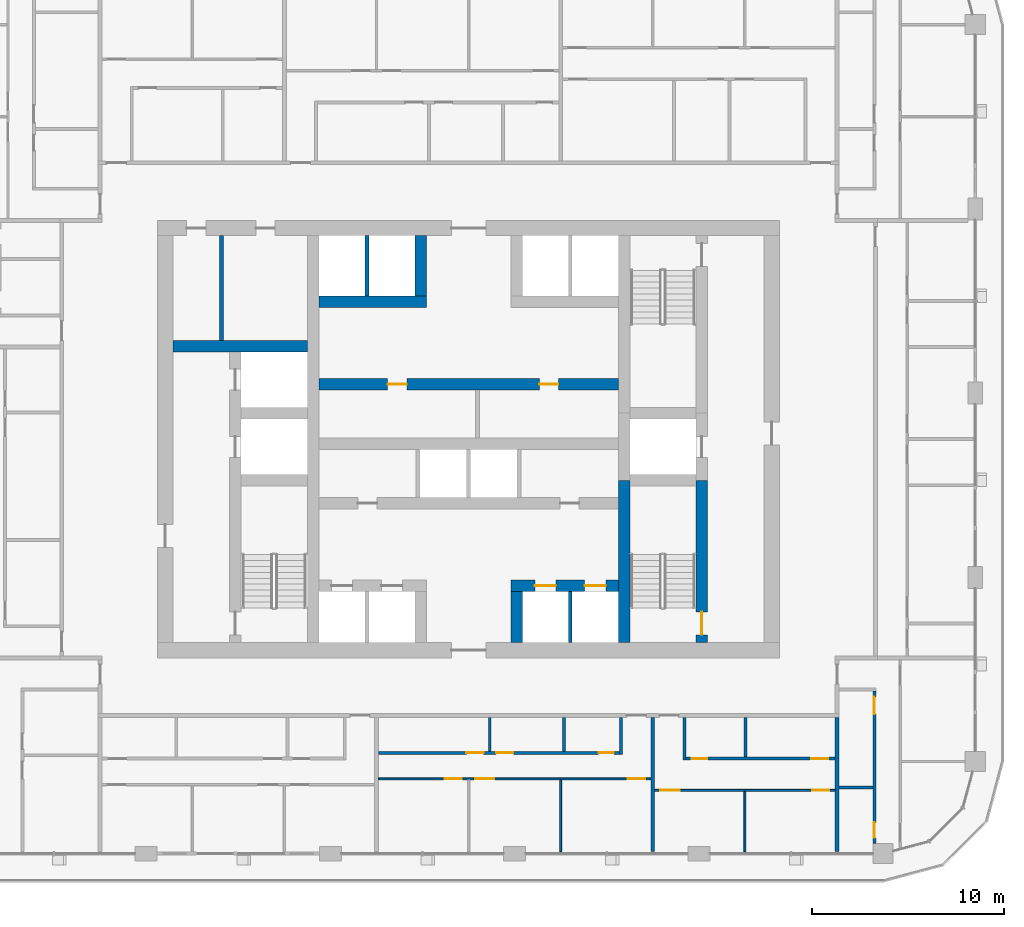
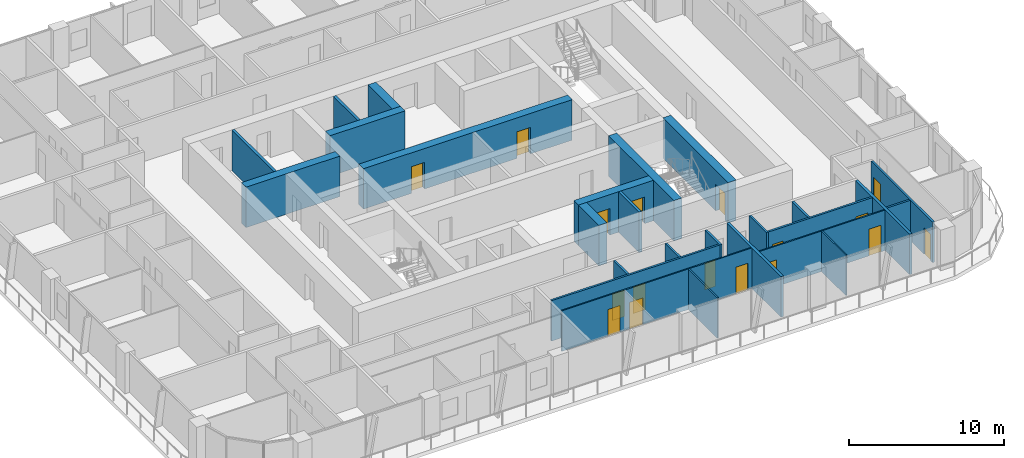
# One storey, part 11 of 22: 26 walls, 17 doors, 17 openings.
"""IFC4 building model written with IfcOpenShell, lengths in metres."""

from ifc_helpers import new_model, si_unit, direction, frame, frame_2d, origin, place, context, subcontext, project, spatial, rectangle, extrude, material, layer, layer_set, type_object, element, fill, save


model = new_model("IFC4")

# Units and contexts
model_context = context("Model", 3, precision=1e-05, world=origin(), true_north=direction((0.0, 1.0)))
body_context = subcontext(model_context, "Body", "Model", "MODEL_VIEW")
ifc_project = project(units=[si_unit("LENGTHUNIT", "METRE"), si_unit("AREAUNIT", "SQUARE_METRE"), si_unit("VOLUMEUNIT", "CUBIC_METRE"), si_unit("PLANEANGLEUNIT", "RADIAN"), si_unit("MASSUNIT", "GRAM", prefix="KILO")], contexts=[model_context])

# Site, building, storey
site_placement = place(None, origin())
site = spatial("IfcSite", under=ifc_project, at=site_placement, CompositionType="ELEMENT")
building_placement = place(site_placement, origin())
building = spatial("IfcBuilding", under=site, at=building_placement, Name="Madar Terraces", CompositionType="ELEMENT")
storey_placement = place(building_placement, frame((0.0, 0.0, 129.60009765625)))
storey = spatial("IfcBuildingStorey", under=building, at=storey_placement, Name="L33", CompositionType="ELEMENT", Elevation=129.60009765625)

# Wall
ifc_material_1 = material(Name="Concrete C70/85", Category="concrete")
ifc_layer_1 = layer(ifc_material_1, 0.60009765625)
ifc_layer_set_1 = layer_set([ifc_layer_1], Name="Concrete C70/85 (CIW3 RC wall 600)")
wall_type_1 = type_object("IfcWallType", Name="CIW3 RC wall 600", PredefinedType="SHEAR", material=ifc_layer_set_1)
wall_1_placement = place(storey_placement, frame((39.300048828125, 15.800048828125, 0.0), z_axis=(0.0, 0.0, 1.0), x_axis=(0.0, 1.0, 0.0)))
element("IfcWall", 1, at=wall_1_placement, inside=storey, type_object=wall_type_1, Name="CORE SHAFT WALL", PredefinedType="SHEAR", context=body_context, shape_type="SweptSolid", body=[
    extrude(rectangle(XDim=8.449951171875, YDim=0.60009765625, at=frame_2d((4.22509765625, 0.0))), origin(), (0.0, 0.0, 1.0), 3.199951171875),
])

# Wall, opening, door
wall_2_placement = place(storey_placement, frame((43.35009765625, 15.800048828125, 0.0), z_axis=(0.0, 0.0, 1.0), x_axis=(0.0, 1.0, 0.0)))
wall_2 = element("IfcWall", 2, at=wall_2_placement, inside=storey, type_object=wall_type_1, Name="CORE SHAFT WALL", PredefinedType="SHEAR", context=body_context, shape_type="SweptSolid", body=[
    extrude(rectangle(XDim=8.449951171875, YDim=0.60009765625, at=frame_2d((4.22509765625, 0.0))), origin(), (0.0, 0.0, 1.0), 3.199951171875),
])
opening_1_placement = place(wall_2_placement, frame((0.39990234375, 0.0, 0.0)))
opening_1 = element("IfcOpeningElement", 3, at=opening_1_placement, cuts=wall_2, Name="Opening SD1", PredefinedType="OPENING", context=body_context, shape_type="SweptSolid", body=[
    extrude(rectangle(XDim=1.199951171875, YDim=2.10009765625, at=frame_2d((0.60009765625, 1.050048828125))), frame((0.0, 0.31005859375, 0.0), z_axis=(0.0, -1.0, 0.0), x_axis=(1.0, 0.0, 0.0)), (0.0, 0.0, 1.0), 0.6201171875),
])
ifc_material_2 = material(Name="Steel door leaf", Category="steel")
door_type_1 = type_object("IfcDoorType", Name="Stair door 1200 x 2100", OperationType="NOTDEFINED", PredefinedType="DOOR", material=ifc_material_2)
door_1_placement = place(opening_1_placement, origin())
door_1 = element("IfcDoor", 4, at=door_1_placement, inside=storey, type_object=door_type_1, Name="STAIR DOOR", OperationType="SINGLE_SWING_RIGHT", OverallHeight=2.10009765625, OverallWidth=1.199951171875, PredefinedType="DOOR", context=body_context, shape_type="SweptSolid", body=[
    extrude(rectangle(XDim=1.199951171875, YDim=2.10009765625, at=frame_2d((0.60009765625, 1.050048828125))), frame((0.0, 0.02490234375, 0.0), z_axis=(0.0, -1.0, 0.0), x_axis=(1.0, 0.0, 0.0)), (0.0, 0.0, 1.0), 0.050048828125),
])
fill(opening_1, door_1)

# Wall
wall_3_placement = place(storey_placement, frame((15.800048828125, 31.25, 0.0), z_axis=(0.0, 0.0, 1.0), x_axis=(1.0, 0.0, 0.0)))
element("IfcWall", 5, at=wall_3_placement, inside=storey, type_object=wall_type_1, Name="CORE SHAFT WALL", PredefinedType="SHEAR", context=body_context, shape_type="SweptSolid", body=[
    extrude(rectangle(XDim=7.0, YDim=0.60009765625, at=frame_2d((3.5, 0.0))), origin(), (0.0, 0.0, 1.0), 3.199951171875),
])

# Wall, openings, doors
wall_4_placement = place(storey_placement, frame((33.39990234375, 18.75, 0.0), z_axis=(0.0, 0.0, 1.0), x_axis=(1.0, 0.0, 0.0)))
wall_4 = element("IfcWall", 6, at=wall_4_placement, inside=storey, type_object=wall_type_1, Name="CORE SHAFT WALL", PredefinedType="SHEAR", context=body_context, shape_type="SweptSolid", body=[
    extrude(rectangle(XDim=5.60009765625, YDim=0.60009765625, at=frame_2d((2.800048828125, 0.0))), origin(), (0.0, 0.0, 1.0), 3.199951171875),
])
opening_2_placement = place(wall_4_placement, frame((1.25, 0.0, 0.0)))
opening_2 = element("IfcOpeningElement", 7, at=opening_2_placement, cuts=wall_4, Name="Opening LD", PredefinedType="OPENING", context=body_context, shape_type="SweptSolid", body=[
    extrude(rectangle(XDim=1.10009765625, YDim=2.10009765625, at=frame_2d((0.550048828125, 1.050048828125))), frame((0.0, 0.31005859375, 0.0), z_axis=(0.0, -1.0, 0.0), x_axis=(1.0, 0.0, 0.0)), (0.0, 0.0, 1.0), 0.6201171875),
])
opening_3_placement = place(wall_4_placement, frame((3.85009765625, 0.0, 0.0)))
opening_3 = element("IfcOpeningElement", 8, at=opening_3_placement, cuts=wall_4, Name="Opening LD", PredefinedType="OPENING", context=body_context, shape_type="SweptSolid", body=[
    extrude(rectangle(XDim=1.10009765625, YDim=2.10009765625, at=frame_2d((0.550048828125, 1.050048828125))), frame((0.0, 0.31005859375, 0.0), z_axis=(0.0, -1.0, 0.0), x_axis=(1.0, 0.0, 0.0)), (0.0, 0.0, 1.0), 0.6201171875),
])
ifc_material_3 = material(Name="Stainless steel panel", Category="steel")
door_type_2 = type_object("IfcDoorType", Name="Lift landing door 1100 x 2100", OperationType="DOUBLE_DOOR_SLIDING", PredefinedType="DOOR", material=ifc_material_3)
door_2_placement = place(opening_2_placement, origin())
door_2 = element("IfcDoor", 9, at=door_2_placement, inside=storey, type_object=door_type_2, Name="LIFT LANDING DOOR", OperationType="DOUBLE_DOOR_SLIDING", OverallHeight=2.10009765625, OverallWidth=1.10009765625, PredefinedType="DOOR", context=body_context, shape_type="SweptSolid", body=[
    extrude(rectangle(XDim=1.10009765625, YDim=2.10009765625, at=frame_2d((0.550048828125, 1.050048828125))), frame((0.0, 0.02490234375, 0.0), z_axis=(0.0, -1.0, 0.0), x_axis=(1.0, 0.0, 0.0)), (0.0, 0.0, 1.0), 0.050048828125),
])
fill(opening_2, door_2)
door_3_placement = place(opening_3_placement, origin())
door_3 = element("IfcDoor", 10, at=door_3_placement, inside=storey, type_object=door_type_2, Name="LIFT LANDING DOOR", OperationType="DOUBLE_DOOR_SLIDING", OverallHeight=2.10009765625, OverallWidth=1.10009765625, PredefinedType="DOOR", context=body_context, shape_type="SweptSolid", body=[
    extrude(rectangle(XDim=1.10009765625, YDim=2.10009765625, at=frame_2d((0.550048828125, 1.050048828125))), frame((0.0, 0.02490234375, 0.0), z_axis=(0.0, -1.0, 0.0), x_axis=(1.0, 0.0, 0.0)), (0.0, 0.0, 1.0), 0.050048828125),
])
fill(opening_3, door_3)

wall_5_placement = place(storey_placement, frame((23.39990234375, 29.25, 0.0), z_axis=(0.0, 0.0, 1.0), x_axis=(1.0, 0.0, 0.0)))
wall_5 = element("IfcWall", 11, at=wall_5_placement, inside=storey, type_object=wall_type_1, Name="CORE SHAFT WALL", PredefinedType="SHEAR", context=body_context, shape_type="SweptSolid", body=[
    extrude(rectangle(XDim=15.60009765625, YDim=0.60009765625, at=frame_2d((7.800048828125, 0.0))), origin(), (0.0, 0.0, 1.0), 3.199951171875),
])
opening_4_placement = place(wall_5_placement, frame((3.583984375, 0.0, 0.0)))
opening_4 = element("IfcOpeningElement", 12, at=opening_4_placement, cuts=wall_5, Name="Opening KD2", PredefinedType="OPENING", context=body_context, shape_type="SweptSolid", body=[
    extrude(rectangle(XDim=1.0, YDim=2.10009765625, at=frame_2d((0.5, 1.050048828125))), frame((0.0, 0.31005859375, 0.0), z_axis=(0.0, -1.0, 0.0), x_axis=(1.0, 0.0, 0.0)), (0.0, 0.0, 1.0), 0.6201171875),
])
opening_5_placement = place(wall_5_placement, frame((11.48388671875, 0.0, 0.0)))
opening_5 = element("IfcOpeningElement", 13, at=opening_5_placement, cuts=wall_5, Name="Opening KD2", PredefinedType="OPENING", context=body_context, shape_type="SweptSolid", body=[
    extrude(rectangle(XDim=1.0, YDim=2.10009765625, at=frame_2d((0.5, 1.050048828125))), frame((0.0, 0.31005859375, 0.0), z_axis=(0.0, -1.0, 0.0), x_axis=(1.0, 0.0, 0.0)), (0.0, 0.0, 1.0), 0.6201171875),
])
ifc_material_4 = material(Name="Steel door leaf", Category="steel")
door_type_3 = type_object("IfcDoorType", Name="Service room door 1000 x 2100", OperationType="NOTDEFINED", PredefinedType="DOOR", material=ifc_material_4)
door_4_placement = place(opening_4_placement, origin())
door_4 = element("IfcDoor", 14, at=door_4_placement, inside=storey, type_object=door_type_3, Name="SERVICE ROOM DOOR", OperationType="SINGLE_SWING_RIGHT", OverallHeight=2.10009765625, OverallWidth=1.0, PredefinedType="DOOR", context=body_context, shape_type="SweptSolid", body=[
    extrude(rectangle(XDim=1.0, YDim=2.10009765625, at=frame_2d((0.5, 1.050048828125))), frame((0.0, 0.02490234375, 0.0), z_axis=(0.0, -1.0, 0.0), x_axis=(1.0, 0.0, 0.0)), (0.0, 0.0, 1.0), 0.050048828125),
])
fill(opening_4, door_4)
door_5_placement = place(opening_5_placement, origin())
door_5 = element("IfcDoor", 15, at=door_5_placement, inside=storey, type_object=door_type_3, Name="SERVICE ROOM DOOR", OperationType="SINGLE_SWING_LEFT", OverallHeight=2.10009765625, OverallWidth=1.0, PredefinedType="DOOR", context=body_context, shape_type="SweptSolid", body=[
    extrude(rectangle(XDim=1.0, YDim=2.10009765625, at=frame_2d((0.5, 1.050048828125))), frame((0.0, 0.02490234375, 0.0), z_axis=(0.0, -1.0, 0.0), x_axis=(1.0, 0.0, 0.0)), (0.0, 0.0, 1.0), 0.050048828125),
])
fill(opening_5, door_5)

# Walls
wall_6_placement = place(storey_placement, frame((23.39990234375, 33.550048828125, 0.0), z_axis=(0.0, 0.0, 1.0), x_axis=(1.0, 0.0, 0.0)))
element("IfcWall", 16, at=wall_6_placement, inside=storey, type_object=wall_type_1, Name="CORE SHAFT WALL", PredefinedType="SHEAR", context=body_context, shape_type="SweptSolid", body=[
    extrude(rectangle(XDim=5.60009765625, YDim=0.60009765625, at=frame_2d((2.800048828125, 0.0))), origin(), (0.0, 0.0, 1.0), 3.199951171875),
])
wall_7_placement = place(storey_placement, frame((33.699951171875, 15.800048828125, 0.0), z_axis=(0.0, 0.0, 1.0), x_axis=(0.0, 1.0, 0.0)))
element("IfcWall", 17, at=wall_7_placement, inside=storey, type_object=wall_type_1, Name="CORE SHAFT WALL", PredefinedType="SHEAR", context=body_context, shape_type="SweptSolid", body=[
    extrude(rectangle(XDim=2.64990234375, YDim=0.60009765625, at=frame_2d((1.324951171875, 0.0))), origin(), (0.0, 0.0, 1.0), 3.199951171875),
])
wall_8_placement = place(storey_placement, frame((28.699951171875, 33.85009765625, 0.0), z_axis=(0.0, 0.0, 1.0), x_axis=(0.0, 1.0, 0.0)))
element("IfcWall", 18, at=wall_8_placement, inside=storey, type_object=wall_type_1, Name="CORE SHAFT WALL", PredefinedType="SHEAR", context=body_context, shape_type="SweptSolid", body=[
    extrude(rectangle(XDim=3.14990234375, YDim=0.60009765625, at=frame_2d((1.574951171875, 0.0))), origin(), (0.0, 0.0, 1.0), 3.199951171875),
])
ifc_material_5 = material(Name="Masonry blockwork", Category="masonry")
ifc_layer_2 = layer(ifc_material_5, 0.199951171875)
ifc_layer_set_2 = layer_set([ifc_layer_2], Name="Core partition 200 blockwork")
wall_type_2 = type_object("IfcWallType", Name="Core partition 200 blockwork", PredefinedType="PARTITIONING", material=ifc_layer_set_2)
wall_9_placement = place(storey_placement, frame((18.320068359375, 31.550048828125, 0.0), z_axis=(0.0, 0.0, 1.0), x_axis=(0.0, 1.0, 0.0)))
element("IfcWall", 19, at=wall_9_placement, inside=storey, type_object=wall_type_2, Name="SERVICE ROOM PARTITION", PredefinedType="PARTITIONING", context=body_context, shape_type="SweptSolid", body=[
    extrude(rectangle(XDim=5.449951171875, YDim=0.199951171875, at=frame_2d((2.72509765625, 0.0))), origin(), (0.0, 0.0, 1.0), 3.199951171875),
])
ifc_material_6 = material(Name="Concrete C40/50", Category="concrete")
ifc_layer_3 = layer(ifc_material_6, 0.199951171875)
ifc_layer_set_3 = layer_set([ifc_layer_3], Name="Core shaft dividing wall 200 C40/50")
wall_type_3 = type_object("IfcWallType", Name="Core shaft dividing wall 200 C40/50", PredefinedType="SOLIDWALL", material=ifc_layer_set_3)
wall_10_placement = place(storey_placement, frame((25.89990234375, 33.85009765625, 0.0), z_axis=(0.0, 0.0, 1.0), x_axis=(0.0, 1.0, 0.0)))
element("IfcWall", 20, at=wall_10_placement, inside=storey, type_object=wall_type_3, Name="SHAFT DIVIDING WALL", PredefinedType="SOLIDWALL", context=body_context, shape_type="SweptSolid", body=[
    extrude(rectangle(XDim=3.14990234375, YDim=0.199951171875, at=frame_2d((1.574951171875, 0.0))), origin(), (0.0, 0.0, 1.0), 3.199951171875),
])
wall_11_placement = place(storey_placement, frame((36.5, 15.800048828125, 0.0), z_axis=(0.0, 0.0, 1.0), x_axis=(0.0, 1.0, 0.0)))
element("IfcWall", 21, at=wall_11_placement, inside=storey, type_object=wall_type_3, Name="SHAFT DIVIDING WALL", PredefinedType="SOLIDWALL", context=body_context, shape_type="SweptSolid", body=[
    extrude(rectangle(XDim=2.64990234375, YDim=0.199951171875, at=frame_2d((1.324951171875, 0.0))), origin(), (0.0, 0.0, 1.0), 3.199951171875),
])
ifc_material_7 = material(Name="Gypsum board on steel studs", Category="steel")
ifc_layer_4 = layer(ifc_material_7, 0.10009765625)
ifc_layer_set_4 = layer_set([ifc_layer_4], Name="Flat partition 100")
wall_type_4 = type_object("IfcWallType", Name="Flat partition 100", PredefinedType="PARTITIONING", material=ifc_layer_set_4)
wall_12_placement = place(storey_placement, frame((36.0, 8.64990234375, 0.0), z_axis=(0.0, 0.0, 1.0), x_axis=(0.0, -1.0, 0.0)))
element("IfcWall", 22, at=wall_12_placement, inside=storey, type_object=wall_type_4, Name="Flat partition 100", PredefinedType="PARTITIONING", context=body_context, shape_type="SweptSolid", body=[
    extrude(rectangle(XDim=3.75, YDim=0.10009765625, at=frame_2d((1.875, 0.0))), origin(), (0.0, 0.0, 1.0), 3.199951171875),
])

# Wall, openings, doors
wall_13_placement = place(storey_placement, frame((40.699951171875, 8.699951171875, 0.0), z_axis=(0.0, 0.0, 1.0), x_axis=(-1.0, 0.0, 0.0)))
wall_13 = element("IfcWall", 23, at=wall_13_placement, inside=storey, type_object=wall_type_4, Name="Flat partition 100", PredefinedType="PARTITIONING", context=body_context, shape_type="SweptSolid", body=[
    extrude(rectangle(XDim=14.199951171875, YDim=0.10009765625, at=frame_2d((7.10009765625, 0.0))), origin(), (0.0, 0.0, 1.0), 3.199951171875),
])
opening_6_placement = place(wall_13_placement, frame((0.300048828125, 0.0, 0.0)))
opening_6 = element("IfcOpeningElement", 24, at=opening_6_placement, cuts=wall_13, Name="Opening D2", PredefinedType="OPENING", context=body_context, shape_type="SweptSolid", body=[
    extrude(rectangle(XDim=0.89990234375, YDim=2.10009765625, at=frame_2d((0.449951171875, 1.050048828125))), frame((0.0, 0.06005859375, 0.0), z_axis=(0.0, -1.0, 0.0), x_axis=(1.0, 0.0, 0.0)), (0.0, 0.0, 1.0), 0.1201171875),
])
opening_7_placement = place(wall_13_placement, frame((8.14990234375, 0.0, 0.0)))
opening_7 = element("IfcOpeningElement", 25, at=opening_7_placement, cuts=wall_13, Name="Opening D3", PredefinedType="OPENING", context=body_context, shape_type="SweptSolid", body=[
    extrude(rectangle(XDim=1.0, YDim=2.10009765625, at=frame_2d((0.5, 1.050048828125))), frame((0.0, 0.06005859375, 0.0), z_axis=(0.0, -1.0, 0.0), x_axis=(1.0, 0.0, 0.0)), (0.0, 0.0, 1.0), 0.1201171875),
])
opening_8_placement = place(wall_13_placement, frame((9.85009765625, 0.0, 0.0)))
opening_8 = element("IfcOpeningElement", 26, at=opening_8_placement, cuts=wall_13, Name="Opening D2", PredefinedType="OPENING", context=body_context, shape_type="SweptSolid", body=[
    extrude(rectangle(XDim=0.89990234375, YDim=2.10009765625, at=frame_2d((0.449951171875, 1.050048828125))), frame((0.0, 0.06005859375, 0.0), z_axis=(0.0, -1.0, 0.0), x_axis=(1.0, 0.0, 0.0)), (0.0, 0.0, 1.0), 0.1201171875),
])
ifc_material_8 = material(Name="Timber door leaf", Category="wood")
door_type_4 = type_object("IfcDoorType", Name="Flat living room door 1000", OperationType="NOTDEFINED", PredefinedType="DOOR", material=ifc_material_8)
door_6_placement = place(opening_7_placement, origin())
door_6 = element("IfcDoor", 27, at=door_6_placement, inside=storey, type_object=door_type_4, Name="Flat living room door 1000", OperationType="SINGLE_SWING_RIGHT", OverallHeight=2.10009765625, OverallWidth=1.0, PredefinedType="DOOR", context=body_context, shape_type="SweptSolid", body=[
    extrude(rectangle(XDim=1.0, YDim=2.10009765625, at=frame_2d((0.5, 1.050048828125))), frame((0.0, 0.02490234375, 0.0), z_axis=(0.0, -1.0, 0.0), x_axis=(1.0, 0.0, 0.0)), (0.0, 0.0, 1.0), 0.050048828125),
])
fill(opening_7, door_6)
ifc_material_9 = material(Name="Timber door leaf", Category="wood")
door_type_5 = type_object("IfcDoorType", Name="Flat room door 900", OperationType="NOTDEFINED", PredefinedType="DOOR", material=ifc_material_9)
door_7_placement = place(opening_6_placement, origin())
door_7 = element("IfcDoor", 28, at=door_7_placement, inside=storey, type_object=door_type_5, Name="Flat room door 900", OperationType="SINGLE_SWING_LEFT", OverallHeight=2.10009765625, OverallWidth=0.89990234375, PredefinedType="DOOR", context=body_context, shape_type="SweptSolid", body=[
    extrude(rectangle(XDim=0.89990234375, YDim=2.10009765625, at=frame_2d((0.449951171875, 1.050048828125))), frame((0.0, 0.02490234375, 0.0), z_axis=(0.0, -1.0, 0.0), x_axis=(1.0, 0.0, 0.0)), (0.0, 0.0, 1.0), 0.050048828125),
])
fill(opening_6, door_7)
door_8_placement = place(opening_8_placement, origin())
door_8 = element("IfcDoor", 29, at=door_8_placement, inside=storey, type_object=door_type_5, Name="Flat room door 900", OperationType="SINGLE_SWING_LEFT", OverallHeight=2.10009765625, OverallWidth=0.89990234375, PredefinedType="DOOR", context=body_context, shape_type="SweptSolid", body=[
    extrude(rectangle(XDim=0.89990234375, YDim=2.10009765625, at=frame_2d((0.449951171875, 1.050048828125))), frame((0.0, 0.02490234375, 0.0), z_axis=(0.0, -1.0, 0.0), x_axis=(1.0, 0.0, 0.0)), (0.0, 0.0, 1.0), 0.050048828125),
])
fill(opening_8, door_8)

# Wall
wall_14_placement = place(storey_placement, frame((45.60009765625, 8.050048828125, 0.0), z_axis=(0.0, 0.0, 1.0), x_axis=(0.0, -1.0, 0.0)))
element("IfcWall", 30, at=wall_14_placement, inside=storey, type_object=wall_type_4, Name="Flat partition 100", PredefinedType="PARTITIONING", context=body_context, shape_type="SweptSolid", body=[
    extrude(rectangle(XDim=3.150146484375, YDim=0.10009765625, at=frame_2d((1.5751953125, 0.0))), origin(), (0.0, 0.0, 1.0), 3.199951171875),
])

# Wall, openings, doors
wall_15_placement = place(storey_placement, frame((50.300048828125, 8.10009765625, 0.0), z_axis=(0.0, 0.0, 1.0), x_axis=(-1.0, 0.0, 0.0)))
wall_15 = element("IfcWall", 31, at=wall_15_placement, inside=storey, type_object=wall_type_4, Name="Flat partition 100", PredefinedType="PARTITIONING", context=body_context, shape_type="SweptSolid", body=[
    extrude(rectangle(XDim=9.400146484375, YDim=0.10009765625, at=frame_2d((4.7001953125, 0.0))), origin(), (0.0, 0.0, 1.0), 3.199951171875),
])
opening_9_placement = place(wall_15_placement, frame((8.10009765625, 0.0, 0.0)))
opening_9 = element("IfcOpeningElement", 32, at=opening_9_placement, cuts=wall_15, Name="Opening D3", PredefinedType="OPENING", context=body_context, shape_type="SweptSolid", body=[
    extrude(rectangle(XDim=1.0, YDim=2.10009765625, at=frame_2d((0.5, 1.050048828125))), frame((0.0, 0.06005859375, 0.0), z_axis=(0.0, -1.0, 0.0), x_axis=(1.0, 0.0, 0.0)), (0.0, 0.0, 1.0), 0.1201171875),
])
opening_10_placement = place(wall_15_placement, frame((0.300048828125, 0.0, 0.0)))
opening_10 = element("IfcOpeningElement", 33, at=opening_10_placement, cuts=wall_15, Name="Opening D2", PredefinedType="OPENING", context=body_context, shape_type="SweptSolid", body=[
    extrude(rectangle(XDim=0.89990234375, YDim=2.10009765625, at=frame_2d((0.449951171875, 1.050048828125))), frame((0.0, 0.06005859375, 0.0), z_axis=(0.0, -1.0, 0.0), x_axis=(1.0, 0.0, 0.0)), (0.0, 0.0, 1.0), 0.1201171875),
])
door_9_placement = place(opening_9_placement, origin())
door_9 = element("IfcDoor", 34, at=door_9_placement, inside=storey, type_object=door_type_4, Name="Flat living room door 1000", OperationType="SINGLE_SWING_RIGHT", OverallHeight=2.10009765625, OverallWidth=1.0, PredefinedType="DOOR", context=body_context, shape_type="SweptSolid", body=[
    extrude(rectangle(XDim=1.0, YDim=2.10009765625, at=frame_2d((0.5, 1.050048828125))), frame((0.0, 0.02490234375, 0.0), z_axis=(0.0, -1.0, 0.0), x_axis=(1.0, 0.0, 0.0)), (0.0, 0.0, 1.0), 0.050048828125),
])
fill(opening_9, door_9)
door_10_placement = place(opening_10_placement, origin())
door_10 = element("IfcDoor", 35, at=door_10_placement, inside=storey, type_object=door_type_5, Name="Flat room door 900", OperationType="SINGLE_SWING_LEFT", OverallHeight=2.10009765625, OverallWidth=0.89990234375, PredefinedType="DOOR", context=body_context, shape_type="SweptSolid", body=[
    extrude(rectangle(XDim=0.89990234375, YDim=2.10009765625, at=frame_2d((0.449951171875, 1.050048828125))), frame((0.0, 0.02490234375, 0.0), z_axis=(0.0, -1.0, 0.0), x_axis=(1.0, 0.0, 0.0)), (0.0, 0.0, 1.0), 0.050048828125),
])
fill(opening_10, door_10)

# Walls
ifc_material_10 = material(Name="Lightweight blockwork", Category="masonry")
ifc_layer_5 = layer(ifc_material_10, 0.199951171875)
ifc_layer_set_5 = layer_set([ifc_layer_5], Name="Flat party and entrance wall 200")
wall_type_5 = type_object("IfcWallType", Name="Flat party and entrance wall 200", PredefinedType="PARTITIONING", material=ifc_layer_set_5)
for number, where, z_axis, x_axis, name in (
    (36, (40.800048828125, 11.89990234375, 0.0), (0.0, 0.0, 1.0), (0.0, -1.0, 0.0), "Flat party and entrance wall 200"),
    (37, (50.39990234375, 11.89990234375, 0.0), (0.0, 0.0, 1.0), (0.0, -1.0, 0.0), "Flat party and entrance wall 200"),
):
    element("IfcWall", number, at=place(storey_placement, frame(where, z_axis=z_axis, x_axis=x_axis)), inside=storey, type_object=wall_type_5, Name=name, PredefinedType="PARTITIONING", context=body_context, shape_type="SweptSolid", body=[
        extrude(rectangle(XDim=7.0, YDim=0.199951171875, at=frame_2d((3.5, 0.0))), origin(), (0.0, 0.0, 1.0), 3.199951171875),
    ])
ifc_material_11 = material(Name="Lightweight blockwork", Category="masonry")
ifc_layer_6 = layer(ifc_material_11, 0.14990234375)
ifc_layer_set_6 = layer_set([ifc_layer_6], Name="Flat wet-room partition 150")
wall_type_6 = type_object("IfcWallType", Name="Flat wet-room partition 150", PredefinedType="PARTITIONING", material=ifc_layer_set_6)
for number, where, z_axis, x_axis, name in (
    (38, (36.173095703125, 11.89990234375, 0.0), (0.0, 0.0, 1.0), (0.0, -1.0, 0.0), "Flat wet-room partition 150"),
    (39, (32.303955078125, 11.89990234375, 0.0), (0.0, 0.0, 1.0), (0.0, -1.0, 0.0), "Flat wet-room partition 150"),
):
    element("IfcWall", number, at=place(storey_placement, frame(where, z_axis=z_axis, x_axis=x_axis)), inside=storey, type_object=wall_type_6, Name=name, PredefinedType="PARTITIONING", context=body_context, shape_type="SweptSolid", body=[
        extrude(rectangle(XDim=1.77490234375, YDim=0.14990234375, at=frame_2d((0.887451171875, 0.0))), origin(), (0.0, 0.0, 1.0), 3.199951171875),
    ])
wall_16_placement = place(storey_placement, frame((39.14990234375, 11.89990234375, 0.0), z_axis=(0.0, 0.0, 1.0), x_axis=(0.0, -1.0, 0.0)))
element("IfcWall", 40, at=wall_16_placement, inside=storey, type_object=wall_type_6, Name="Flat wet-room partition 150", PredefinedType="PARTITIONING", context=body_context, shape_type="SweptSolid", body=[
    extrude(rectangle(XDim=1.9248046875, YDim=0.14990234375, at=frame_2d((0.96240234375, 0.0))), origin(), (0.0, 0.0, 1.0), 3.199951171875),
])

# Wall, openings, doors
wall_17_placement = place(storey_placement, frame((26.5, 10.050048828125, 0.0), z_axis=(0.0, 0.0, 1.0), x_axis=(1.0, 0.0, 0.0)))
wall_17 = element("IfcWall", 41, at=wall_17_placement, inside=storey, type_object=wall_type_6, Name="Flat wet-room partition 150", PredefinedType="PARTITIONING", context=body_context, shape_type="SweptSolid", body=[
    extrude(rectangle(XDim=12.574951171875, YDim=0.14990234375, at=frame_2d((6.28759765625, 0.0))), origin(), (0.0, 0.0, 1.0), 3.199951171875),
])
opening_11_placement = place(wall_17_placement, frame((11.47509765625, 0.0, 0.0)))
opening_11 = element("IfcOpeningElement", 42, at=opening_11_placement, cuts=wall_17, Name="Opening D4", PredefinedType="OPENING", context=body_context, shape_type="SweptSolid", body=[
    extrude(rectangle(XDim=0.800048828125, YDim=2.10009765625, at=frame_2d((0.39990234375, 1.050048828125))), frame((0.0, 0.0849609375, 0.0), z_axis=(0.0, -1.0, 0.0), x_axis=(1.0, 0.0, 0.0)), (0.0, 0.0, 1.0), 0.169921875),
])
opening_12_placement = place(wall_17_placement, frame((6.12890625, 0.0, 0.0)))
opening_12 = element("IfcOpeningElement", 43, at=opening_12_placement, cuts=wall_17, Name="Opening D5", PredefinedType="OPENING", context=body_context, shape_type="SweptSolid", body=[
    extrude(rectangle(XDim=0.89990234375, YDim=2.10009765625, at=frame_2d((0.449951171875, 1.050048828125))), frame((0.0, 0.0849609375, 0.0), z_axis=(0.0, -1.0, 0.0), x_axis=(1.0, 0.0, 0.0)), (0.0, 0.0, 1.0), 0.169921875),
])
opening_13_placement = place(wall_17_placement, frame((4.578857421875, 0.0, 0.0)))
opening_13 = element("IfcOpeningElement", 44, at=opening_13_placement, cuts=wall_17, Name="Opening D2", PredefinedType="OPENING", context=body_context, shape_type="SweptSolid", body=[
    extrude(rectangle(XDim=0.89990234375, YDim=2.10009765625, at=frame_2d((0.449951171875, 1.050048828125))), frame((0.0, 0.0849609375, 0.0), z_axis=(0.0, -1.0, 0.0), x_axis=(1.0, 0.0, 0.0)), (0.0, 0.0, 1.0), 0.169921875),
])
ifc_material_12 = material(Name="Timber door leaf", Category="wood")
door_type_6 = type_object("IfcDoorType", Name="Flat accessible bathroom door 900", OperationType="NOTDEFINED", PredefinedType="DOOR", material=ifc_material_12)
door_11_placement = place(opening_12_placement, origin())
door_11 = element("IfcDoor", 45, at=door_11_placement, inside=storey, type_object=door_type_6, Name="Flat accessible bathroom door 900", OperationType="SINGLE_SWING_LEFT", OverallHeight=2.10009765625, OverallWidth=0.89990234375, PredefinedType="DOOR", context=body_context, shape_type="SweptSolid", body=[
    extrude(rectangle(XDim=0.89990234375, YDim=2.10009765625, at=frame_2d((0.449951171875, 1.050048828125))), frame((0.0, 0.02490234375, 0.0), z_axis=(0.0, -1.0, 0.0), x_axis=(1.0, 0.0, 0.0)), (0.0, 0.0, 1.0), 0.050048828125),
])
fill(opening_12, door_11)
ifc_material_13 = material(Name="Timber door leaf", Category="wood")
door_type_7 = type_object("IfcDoorType", Name="Flat bathroom door 800", OperationType="NOTDEFINED", PredefinedType="DOOR", material=ifc_material_13)
door_12_placement = place(opening_11_placement, origin())
door_12 = element("IfcDoor", 46, at=door_12_placement, inside=storey, type_object=door_type_7, Name="Flat bathroom door 800", OperationType="SINGLE_SWING_RIGHT", OverallHeight=2.10009765625, OverallWidth=0.800048828125, PredefinedType="DOOR", context=body_context, shape_type="SweptSolid", body=[
    extrude(rectangle(XDim=0.800048828125, YDim=2.10009765625, at=frame_2d((0.39990234375, 1.050048828125))), frame((0.0, 0.02490234375, 0.0), z_axis=(0.0, -1.0, 0.0), x_axis=(1.0, 0.0, 0.0)), (0.0, 0.0, 1.0), 0.050048828125),
])
fill(opening_11, door_12)
door_13_placement = place(opening_13_placement, origin())
door_13 = element("IfcDoor", 47, at=door_13_placement, inside=storey, type_object=door_type_5, Name="Flat room door 900", OperationType="SINGLE_SWING_RIGHT", OverallHeight=2.10009765625, OverallWidth=0.89990234375, PredefinedType="DOOR", context=body_context, shape_type="SweptSolid", body=[
    extrude(rectangle(XDim=0.89990234375, YDim=2.10009765625, at=frame_2d((0.449951171875, 1.050048828125))), frame((0.0, 0.02490234375, 0.0), z_axis=(0.0, -1.0, 0.0), x_axis=(1.0, 0.0, 0.0)), (0.0, 0.0, 1.0), 0.050048828125),
])
fill(opening_13, door_13)

# Walls
wall_18_placement = place(storey_placement, frame((45.635009765625, 11.89990234375, 0.0), z_axis=(0.0, 0.0, 1.0), x_axis=(0.0, -1.0, 0.0)))
element("IfcWall", 48, at=wall_18_placement, inside=storey, type_object=wall_type_6, Name="Flat wet-room partition 150", PredefinedType="PARTITIONING", context=body_context, shape_type="SweptSolid", body=[
    extrude(rectangle(XDim=2.074951171875, YDim=0.14990234375, at=frame_2d((1.03759765625, 0.0))), origin(), (0.0, 0.0, 1.0), 3.199951171875),
])
wall_19_placement = place(storey_placement, frame((42.449951171875, 11.89990234375, 0.0), z_axis=(0.0, 0.0, 1.0), x_axis=(0.0, -1.0, 0.0)))
element("IfcWall", 49, at=wall_19_placement, inside=storey, type_object=wall_type_6, Name="Flat wet-room partition 150", PredefinedType="PARTITIONING", context=body_context, shape_type="SweptSolid", body=[
    extrude(rectangle(XDim=2.224853515625, YDim=0.14990234375, at=frame_2d((1.1123046875, 0.0))), origin(), (0.0, 0.0, 1.0), 3.199951171875),
])

# Wall, openings, doors
wall_20_placement = place(storey_placement, frame((42.52490234375, 9.75, 0.0), z_axis=(0.0, 0.0, 1.0), x_axis=(1.0, 0.0, 0.0)))
wall_20 = element("IfcWall", 50, at=wall_20_placement, inside=storey, type_object=wall_type_6, Name="Flat wet-room partition 150", PredefinedType="PARTITIONING", context=body_context, shape_type="SweptSolid", body=[
    extrude(rectangle(XDim=7.775146484375, YDim=0.14990234375, at=frame_2d((3.8876953125, 0.0))), origin(), (0.0, 0.0, 1.0), 3.199951171875),
])
opening_14_placement = place(wall_20_placement, frame((0.300048828125, 0.0, 0.0)))
opening_14 = element("IfcOpeningElement", 51, at=opening_14_placement, cuts=wall_20, Name="Opening D4", PredefinedType="OPENING", context=body_context, shape_type="SweptSolid", body=[
    extrude(rectangle(XDim=0.800048828125, YDim=2.10009765625, at=frame_2d((0.39990234375, 1.050048828125))), frame((0.0, 0.0849609375, 0.0), z_axis=(0.0, -1.0, 0.0), x_axis=(1.0, 0.0, 0.0)), (0.0, 0.0, 1.0), 0.169921875),
])
opening_15_placement = place(wall_20_placement, frame((6.52490234375, 0.0, 0.0)))
opening_15 = element("IfcOpeningElement", 52, at=opening_15_placement, cuts=wall_20, Name="Opening D2", PredefinedType="OPENING", context=body_context, shape_type="SweptSolid", body=[
    extrude(rectangle(XDim=0.89990234375, YDim=2.10009765625, at=frame_2d((0.449951171875, 1.050048828125))), frame((0.0, 0.0849609375, 0.0), z_axis=(0.0, -1.0, 0.0), x_axis=(1.0, 0.0, 0.0)), (0.0, 0.0, 1.0), 0.169921875),
])
door_14_placement = place(opening_14_placement, origin())
door_14 = element("IfcDoor", 53, at=door_14_placement, inside=storey, type_object=door_type_7, Name="Flat bathroom door 800", OperationType="SINGLE_SWING_LEFT", OverallHeight=2.10009765625, OverallWidth=0.800048828125, PredefinedType="DOOR", context=body_context, shape_type="SweptSolid", body=[
    extrude(rectangle(XDim=0.800048828125, YDim=2.10009765625, at=frame_2d((0.39990234375, 1.050048828125))), frame((0.0, 0.02490234375, 0.0), z_axis=(0.0, -1.0, 0.0), x_axis=(1.0, 0.0, 0.0)), (0.0, 0.0, 1.0), 0.050048828125),
])
fill(opening_14, door_14)
door_15_placement = place(opening_15_placement, origin())
door_15 = element("IfcDoor", 54, at=door_15_placement, inside=storey, type_object=door_type_5, Name="Flat room door 900", OperationType="SINGLE_SWING_RIGHT", OverallHeight=2.10009765625, OverallWidth=0.89990234375, PredefinedType="DOOR", context=body_context, shape_type="SweptSolid", body=[
    extrude(rectangle(XDim=0.89990234375, YDim=2.10009765625, at=frame_2d((0.449951171875, 1.050048828125))), frame((0.0, 0.02490234375, 0.0), z_axis=(0.0, -1.0, 0.0), x_axis=(1.0, 0.0, 0.0)), (0.0, 0.0, 1.0), 0.050048828125),
])
fill(opening_15, door_15)

# Wall
wall_21_placement = place(storey_placement, frame((50.5, 8.25, 0.0), z_axis=(0.0, 0.0, 1.0), x_axis=(1.0, 0.0, 0.0)))
element("IfcWall", 55, at=wall_21_placement, inside=storey, type_object=wall_type_6, Name="Flat wet-room partition 150", PredefinedType="PARTITIONING", context=body_context, shape_type="SweptSolid", body=[
    extrude(rectangle(XDim=1.77490234375, YDim=0.14990234375, at=frame_2d((0.887451171875, 0.0))), origin(), (0.0, 0.0, 1.0), 3.199951171875),
])

# Wall, openings, doors
wall_22_placement = place(storey_placement, frame((52.35009765625, 5.324951171875, 0.0), z_axis=(0.0, 0.0, 1.0), x_axis=(0.0, 1.0, 0.0)))
wall_22 = element("IfcWall", 56, at=wall_22_placement, inside=storey, type_object=wall_type_6, Name="Flat wet-room partition 150", PredefinedType="PARTITIONING", context=body_context, shape_type="SweptSolid", body=[
    extrude(rectangle(XDim=7.949951171875, YDim=0.14990234375, at=frame_2d((3.97509765625, 0.0))), origin(), (0.0, 0.0, 1.0), 3.199951171875),
])
opening_16_placement = place(wall_22_placement, frame((6.75, 0.0, 0.0)))
opening_16 = element("IfcOpeningElement", 57, at=opening_16_placement, cuts=wall_22, Name="Opening D2", PredefinedType="OPENING", context=body_context, shape_type="SweptSolid", body=[
    extrude(rectangle(XDim=0.89990234375, YDim=2.10009765625, at=frame_2d((0.449951171875, 1.050048828125))), frame((0.0, 0.0849609375, 0.0), z_axis=(0.0, -1.0, 0.0), x_axis=(1.0, 0.0, 0.0)), (0.0, 0.0, 1.0), 0.169921875),
])
opening_17_placement = place(wall_22_placement, frame((0.300048828125, 0.0, 0.0)))
opening_17 = element("IfcOpeningElement", 58, at=opening_17_placement, cuts=wall_22, Name="Opening D4", PredefinedType="OPENING", context=body_context, shape_type="SweptSolid", body=[
    extrude(rectangle(XDim=0.800048828125, YDim=2.10009765625, at=frame_2d((0.39990234375, 1.050048828125))), frame((0.0, 0.0849609375, 0.0), z_axis=(0.0, -1.0, 0.0), x_axis=(1.0, 0.0, 0.0)), (0.0, 0.0, 1.0), 0.169921875),
])
door_16_placement = place(opening_17_placement, origin())
door_16 = element("IfcDoor", 59, at=door_16_placement, inside=storey, type_object=door_type_7, Name="Flat bathroom door 800", OperationType="SINGLE_SWING_LEFT", OverallHeight=2.10009765625, OverallWidth=0.800048828125, PredefinedType="DOOR", context=body_context, shape_type="SweptSolid", body=[
    extrude(rectangle(XDim=0.800048828125, YDim=2.10009765625, at=frame_2d((0.39990234375, 1.050048828125))), frame((0.0, 0.02490234375, 0.0), z_axis=(0.0, -1.0, 0.0), x_axis=(1.0, 0.0, 0.0)), (0.0, 0.0, 1.0), 0.050048828125),
])
fill(opening_17, door_16)
door_17_placement = place(opening_16_placement, origin())
door_17 = element("IfcDoor", 60, at=door_17_placement, inside=storey, type_object=door_type_5, Name="Flat room door 900", OperationType="SINGLE_SWING_RIGHT", OverallHeight=2.10009765625, OverallWidth=0.89990234375, PredefinedType="DOOR", context=body_context, shape_type="SweptSolid", body=[
    extrude(rectangle(XDim=0.89990234375, YDim=2.10009765625, at=frame_2d((0.449951171875, 1.050048828125))), frame((0.0, 0.02490234375, 0.0), z_axis=(0.0, -1.0, 0.0), x_axis=(1.0, 0.0, 0.0)), (0.0, 0.0, 1.0), 0.050048828125),
])
fill(opening_16, door_17)

save(model, "model.ifc")
